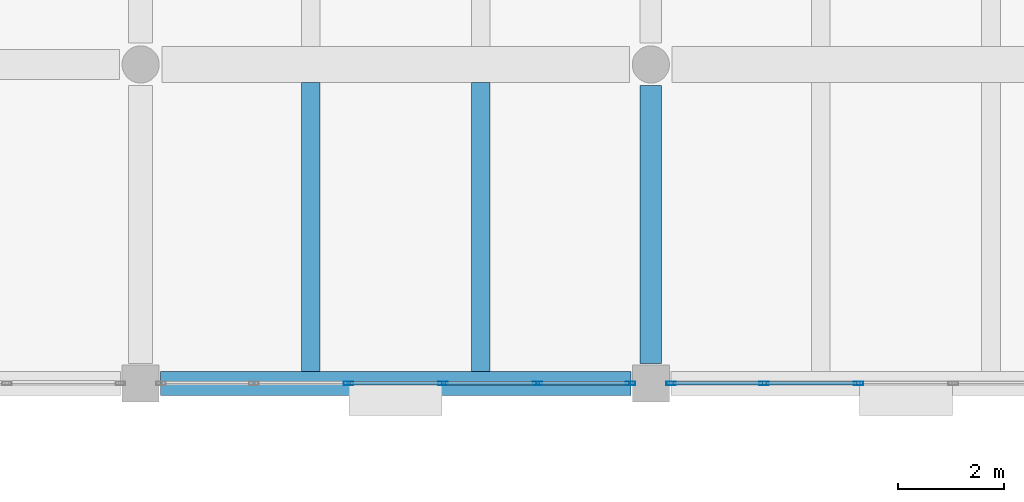
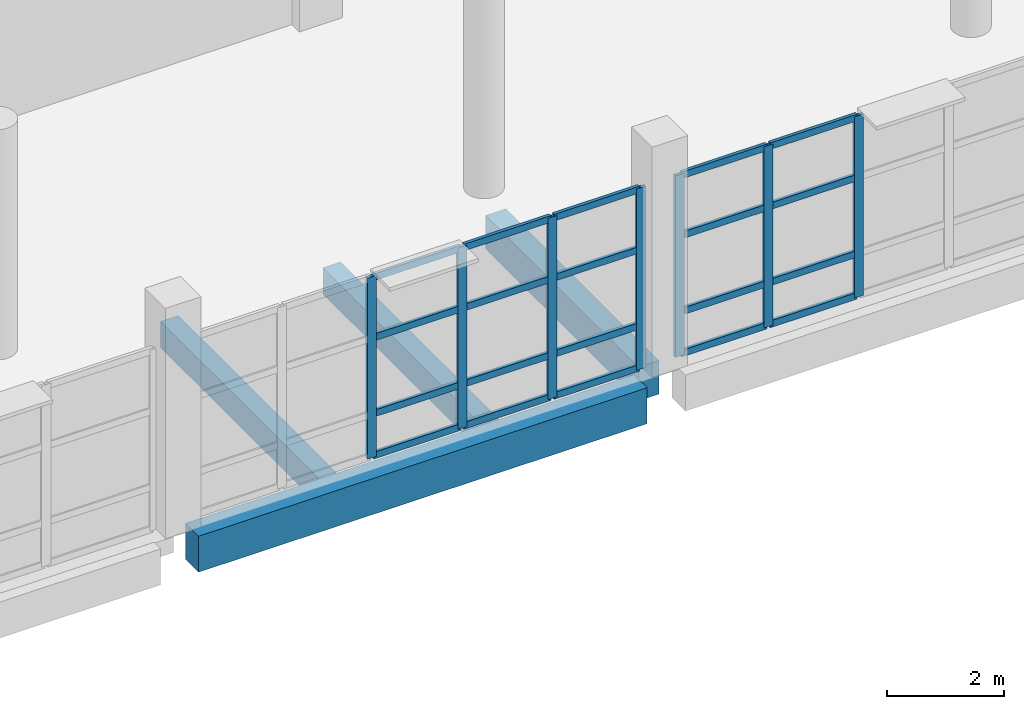
# One storey, part 40 of 91: 27 members, 4 beams, 2 elements without a shape of their own.
"""IFC4 building model written with IfcOpenShell, lengths in metres."""

from ifc_helpers import new_model, si_unit, direction, frame, origin, origin_2d, place, context, subcontext, project, spatial, rectangle, hollow_rectangle, extrude, material, material_profile, profile_set, type_object, element, aggregate, save


model = new_model("IFC4")

# Units and contexts
model_context = context("Model", 3, precision=1e-05, world=origin(), true_north=direction((0.0, 1.0)))
body_context = subcontext(model_context, "Body", "Model", "MODEL_VIEW")
ifc_project = project(units=[si_unit("LENGTHUNIT", "METRE"), si_unit("AREAUNIT", "SQUARE_METRE"), si_unit("VOLUMEUNIT", "CUBIC_METRE"), si_unit("PLANEANGLEUNIT", "RADIAN"), si_unit("MASSUNIT", "GRAM", prefix="KILO")], contexts=[model_context])

# Site, building, storey
site_placement = place(None, origin())
site = spatial("IfcSite", under=ifc_project, at=site_placement, CompositionType="ELEMENT")
building_placement = place(site_placement, origin())
building = spatial("IfcBuilding", under=site, at=building_placement, Name="Pellamere Symphony Hall", CompositionType="ELEMENT")
storey_placement = place(building_placement, frame((0.0, 0.0, 5.39990234375)))
storey = spatial("IfcBuildingStorey", under=building, at=storey_placement, Name="L01", CompositionType="ELEMENT", Elevation=5.39990234375)

# Curtain wall, members
ifc_material_1 = material(Name="Thermally Broken Anodised Aluminium 6063-T6 Curtain Wall", Category="aluminium")
curtain_wall_type = type_object("IfcCurtainWallType", Name="Curtain Wall CW-02 (Winter-Garden South Concourse Curtain Wall)", PredefinedType="NOTDEFINED", material=ifc_material_1)
curtain_wall_1_placement = place(storey_placement, origin())
curtain_wall_1 = element("IfcCurtainWall", 1, at=curtain_wall_1_placement, inside=storey, type_object=curtain_wall_type, Name="Winter-Garden South Curtain Wall (L01 Bay 10)", PredefinedType="NOTDEFINED")
ifc_material_2 = material(Name="Anodised Architectural Aluminium 6063-T6", Category="aluminium")
ifc_material_profile_1 = material_profile(ifc_material_2, hollow_rectangle(XDim=0.06494140625, YDim=0.179931640625, WallThickness=0.00390625, at=origin_2d()), Name="ALU-M65X180X4")
ifc_profile_set_1 = profile_set([ifc_material_profile_1], Name="Anodised Architectural Aluminium 6063-T6")
member_type_1 = type_object("IfcMemberType", Name="Curtain Wall Mullion ML-02 ALU-M65X180X4", PredefinedType="MULLION", material=ifc_profile_set_1)
member_1_placement = place(storey_placement, frame((113.110107421875, 18.0, 0.0), z_axis=(0.0, 0.0, 1.0), x_axis=(0.0, 1.0, 0.0)))
member_1 = element("IfcMember", 2, at=member_1_placement, type_object=member_type_1, Name="CW2-075 crystal mullion 3", PredefinedType="MULLION", context=body_context, shape_type="SweptSolid", body=[
    extrude(hollow_rectangle(XDim=0.06494140625, YDim=0.179931640625, WallThickness=0.00390625, at=origin_2d()), origin(), (0.0, 0.0, 1.0), 3.780029296875),
])
member_2_placement = place(storey_placement, frame((114.889892578125, 18.0, 0.0), z_axis=(0.0, 0.0, 1.0), x_axis=(0.0, 1.0, 0.0)))
member_2 = element("IfcMember", 3, at=member_2_placement, type_object=member_type_1, Name="CW2-075 crystal mullion 4", PredefinedType="MULLION", context=body_context, shape_type="SweptSolid", body=[
    extrude(hollow_rectangle(XDim=0.06494140625, YDim=0.179931640625, WallThickness=0.00390625, at=origin_2d()), origin(), (0.0, 0.0, 1.0), 3.780029296875),
])
member_3_placement = place(storey_placement, frame((116.669921875, 18.0, 0.0), z_axis=(0.0, 0.0, 1.0), x_axis=(0.0, 1.0, 0.0)))
member_3 = element("IfcMember", 4, at=member_3_placement, type_object=member_type_1, Name="CW2-075 crystal mullion 5", PredefinedType="MULLION", context=body_context, shape_type="SweptSolid", body=[
    extrude(hollow_rectangle(XDim=0.06494140625, YDim=0.179931640625, WallThickness=0.00390625, at=origin_2d()), origin(), (0.0, 0.0, 1.0), 3.780029296875),
])
member_4_placement = place(storey_placement, frame((118.41748046875, 18.0, 0.0), z_axis=(0.0, 0.0, 1.0), x_axis=(0.0, 1.0, 0.0)))
member_4 = element("IfcMember", 5, at=member_4_placement, type_object=member_type_1, Name="CW2-075 crystal mullion 6", PredefinedType="MULLION", context=body_context, shape_type="SweptSolid", body=[
    extrude(hollow_rectangle(XDim=0.06494140625, YDim=0.179931640625, WallThickness=0.00390625, at=origin_2d()), origin(), (0.0, 0.0, 1.0), 3.780029296875),
])

curtain_wall_2_placement = place(storey_placement, origin())
curtain_wall_2 = element("IfcCurtainWall", 6, at=curtain_wall_2_placement, inside=storey, type_object=curtain_wall_type, Name="Winter-Garden South Curtain Wall (L01 Bay 11)", PredefinedType="NOTDEFINED")
member_5_placement = place(storey_placement, frame((119.1826171875, 18.0, 0.0), z_axis=(0.0, 0.0, 1.0), x_axis=(0.0, 1.0, 0.0)))
member_5 = element("IfcMember", 7, at=member_5_placement, type_object=member_type_1, Name="CW2-076 crystal mullion 1", PredefinedType="MULLION", context=body_context, shape_type="SweptSolid", body=[
    extrude(hollow_rectangle(XDim=0.06494140625, YDim=0.179931640625, WallThickness=0.00390625, at=origin_2d()), origin(), (0.0, 0.0, 1.0), 3.780029296875),
])
member_6_placement = place(storey_placement, frame((120.929931640625, 18.0, 0.0), z_axis=(0.0, 0.0, 1.0), x_axis=(0.0, 1.0, 0.0)))
member_6 = element("IfcMember", 8, at=member_6_placement, type_object=member_type_1, Name="CW2-076 crystal mullion 2", PredefinedType="MULLION", context=body_context, shape_type="SweptSolid", body=[
    extrude(hollow_rectangle(XDim=0.06494140625, YDim=0.179931640625, WallThickness=0.00390625, at=origin_2d()), origin(), (0.0, 0.0, 1.0), 3.780029296875),
])
member_7_placement = place(storey_placement, frame((122.7099609375, 18.0, 0.0), z_axis=(0.0, 0.0, 1.0), x_axis=(0.0, 1.0, 0.0)))
member_7 = element("IfcMember", 9, at=member_7_placement, type_object=member_type_1, Name="CW2-076 crystal mullion 3", PredefinedType="MULLION", context=body_context, shape_type="SweptSolid", body=[
    extrude(hollow_rectangle(XDim=0.06494140625, YDim=0.179931640625, WallThickness=0.00390625, at=origin_2d()), origin(), (0.0, 0.0, 1.0), 3.780029296875),
])

# Member
ifc_material_profile_2 = material_profile(ifc_material_2, hollow_rectangle(XDim=0.06494140625, YDim=0.139892578125, WallThickness=0.00390625, at=origin_2d()), Name="ALU-T65X140X4")
ifc_profile_set_2 = profile_set([ifc_material_profile_2], Name="Anodised Architectural Aluminium 6063-T6")
member_type_2 = type_object("IfcMemberType", Name="Curtain Wall Transom TR-02 ALU-T65X140X4", PredefinedType="USERDEFINED", material=ifc_profile_set_2)
member_8_placement = place(storey_placement, frame((113.142578125, 18.0, 0.03271484375), z_axis=(1.0, 0.0, 0.0), x_axis=(0.0, 1.0, 0.0)))
member_8 = element("IfcMember", 10, at=member_8_placement, type_object=member_type_2, Name="CW2-075 crystal transom 3.1", ObjectType="TRANSOM", PredefinedType="USERDEFINED", context=body_context, shape_type="SweptSolid", body=[
    extrude(hollow_rectangle(XDim=0.06494140625, YDim=0.139892578125, WallThickness=0.00390625, at=origin_2d()), origin(), (0.0, 0.0, 1.0), 1.71484375),
])

member_9_placement = place(storey_placement, frame((113.142578125, 18.0, 0.9072265625), z_axis=(1.0, 0.0, 0.0), x_axis=(0.0, 1.0, 0.0)))
member_9 = element("IfcMember", 11, at=member_9_placement, type_object=member_type_2, Name="CW2-075 crystal transom 3.2", ObjectType="TRANSOM", PredefinedType="USERDEFINED", context=body_context, shape_type="SweptSolid", body=[
    extrude(hollow_rectangle(XDim=0.06494140625, YDim=0.139892578125, WallThickness=0.00390625, at=origin_2d()), origin(), (0.0, 0.0, 1.0), 1.71484375),
])

member_10_placement = place(storey_placement, frame((113.142578125, 18.0, 2.494873046875), z_axis=(1.0, 0.0, 0.0), x_axis=(0.0, 1.0, 0.0)))
member_10 = element("IfcMember", 12, at=member_10_placement, type_object=member_type_2, Name="CW2-075 crystal transom 3.3", ObjectType="TRANSOM", PredefinedType="USERDEFINED", context=body_context, shape_type="SweptSolid", body=[
    extrude(hollow_rectangle(XDim=0.06494140625, YDim=0.139892578125, WallThickness=0.00390625, at=origin_2d()), origin(), (0.0, 0.0, 1.0), 1.71484375),
])

member_11_placement = place(storey_placement, frame((113.142578125, 18.0, 3.74755859375), z_axis=(1.0, 0.0, 0.0), x_axis=(0.0, 1.0, 0.0)))
member_11 = element("IfcMember", 13, at=member_11_placement, type_object=member_type_2, Name="CW2-075 crystal transom 3.4", ObjectType="TRANSOM", PredefinedType="USERDEFINED", context=body_context, shape_type="SweptSolid", body=[
    extrude(hollow_rectangle(XDim=0.06494140625, YDim=0.139892578125, WallThickness=0.00390625, at=origin_2d()), origin(), (0.0, 0.0, 1.0), 1.71484375),
])

member_12_placement = place(storey_placement, frame((114.922607421875, 18.0, 0.03271484375), z_axis=(1.0, 0.0, 0.0), x_axis=(0.0, 1.0, 0.0)))
member_12 = element("IfcMember", 14, at=member_12_placement, type_object=member_type_2, Name="CW2-075 crystal transom 4.1", ObjectType="TRANSOM", PredefinedType="USERDEFINED", context=body_context, shape_type="SweptSolid", body=[
    extrude(hollow_rectangle(XDim=0.06494140625, YDim=0.139892578125, WallThickness=0.00390625, at=origin_2d()), origin(), (0.0, 0.0, 1.0), 1.71484375),
])

member_13_placement = place(storey_placement, frame((114.922607421875, 18.0, 0.9072265625), z_axis=(1.0, 0.0, 0.0), x_axis=(0.0, 1.0, 0.0)))
member_13 = element("IfcMember", 15, at=member_13_placement, type_object=member_type_2, Name="CW2-075 crystal transom 4.2", ObjectType="TRANSOM", PredefinedType="USERDEFINED", context=body_context, shape_type="SweptSolid", body=[
    extrude(hollow_rectangle(XDim=0.06494140625, YDim=0.139892578125, WallThickness=0.00390625, at=origin_2d()), origin(), (0.0, 0.0, 1.0), 1.71484375),
])

member_14_placement = place(storey_placement, frame((114.922607421875, 18.0, 2.494873046875), z_axis=(1.0, 0.0, 0.0), x_axis=(0.0, 1.0, 0.0)))
member_14 = element("IfcMember", 16, at=member_14_placement, type_object=member_type_2, Name="CW2-075 crystal transom 4.3", ObjectType="TRANSOM", PredefinedType="USERDEFINED", context=body_context, shape_type="SweptSolid", body=[
    extrude(hollow_rectangle(XDim=0.06494140625, YDim=0.139892578125, WallThickness=0.00390625, at=origin_2d()), origin(), (0.0, 0.0, 1.0), 1.71484375),
])

member_15_placement = place(storey_placement, frame((114.922607421875, 18.0, 3.74755859375), z_axis=(1.0, 0.0, 0.0), x_axis=(0.0, 1.0, 0.0)))
member_15 = element("IfcMember", 17, at=member_15_placement, type_object=member_type_2, Name="CW2-075 crystal transom 4.4", ObjectType="TRANSOM", PredefinedType="USERDEFINED", context=body_context, shape_type="SweptSolid", body=[
    extrude(hollow_rectangle(XDim=0.06494140625, YDim=0.139892578125, WallThickness=0.00390625, at=origin_2d()), origin(), (0.0, 0.0, 1.0), 1.71484375),
])

member_16_placement = place(storey_placement, frame((116.702392578125, 18.0, 0.03271484375), z_axis=(1.0, 0.0, 0.0), x_axis=(0.0, 1.0, 0.0)))
member_16 = element("IfcMember", 18, at=member_16_placement, type_object=member_type_2, Name="CW2-075 crystal transom 5.1", ObjectType="TRANSOM", PredefinedType="USERDEFINED", context=body_context, shape_type="SweptSolid", body=[
    extrude(hollow_rectangle(XDim=0.06494140625, YDim=0.139892578125, WallThickness=0.00390625, at=origin_2d()), origin(), (0.0, 0.0, 1.0), 1.6826171875),
])

member_17_placement = place(storey_placement, frame((116.702392578125, 18.0, 0.9072265625), z_axis=(1.0, 0.0, 0.0), x_axis=(0.0, 1.0, 0.0)))
member_17 = element("IfcMember", 19, at=member_17_placement, type_object=member_type_2, Name="CW2-075 crystal transom 5.2", ObjectType="TRANSOM", PredefinedType="USERDEFINED", context=body_context, shape_type="SweptSolid", body=[
    extrude(hollow_rectangle(XDim=0.06494140625, YDim=0.139892578125, WallThickness=0.00390625, at=origin_2d()), origin(), (0.0, 0.0, 1.0), 1.6826171875),
])

member_18_placement = place(storey_placement, frame((116.702392578125, 18.0, 2.494873046875), z_axis=(1.0, 0.0, 0.0), x_axis=(0.0, 1.0, 0.0)))
member_18 = element("IfcMember", 20, at=member_18_placement, type_object=member_type_2, Name="CW2-075 crystal transom 5.3", ObjectType="TRANSOM", PredefinedType="USERDEFINED", context=body_context, shape_type="SweptSolid", body=[
    extrude(hollow_rectangle(XDim=0.06494140625, YDim=0.139892578125, WallThickness=0.00390625, at=origin_2d()), origin(), (0.0, 0.0, 1.0), 1.6826171875),
])

member_19_placement = place(storey_placement, frame((116.702392578125, 18.0, 3.74755859375), z_axis=(1.0, 0.0, 0.0), x_axis=(0.0, 1.0, 0.0)))
member_19 = element("IfcMember", 21, at=member_19_placement, type_object=member_type_2, Name="CW2-075 crystal transom 5.4", ObjectType="TRANSOM", PredefinedType="USERDEFINED", context=body_context, shape_type="SweptSolid", body=[
    extrude(hollow_rectangle(XDim=0.06494140625, YDim=0.139892578125, WallThickness=0.00390625, at=origin_2d()), origin(), (0.0, 0.0, 1.0), 1.6826171875),
])

aggregate(curtain_wall_1, [member_1, member_2, member_3, member_4, member_8, member_9, member_10, member_11, member_12, member_13, member_14, member_15, member_16, member_17, member_18, member_19])

member_20_placement = place(storey_placement, frame((119.215087890625, 18.0, 0.03271484375), z_axis=(1.0, 0.0, 0.0), x_axis=(0.0, 1.0, 0.0)))
member_20 = element("IfcMember", 22, at=member_20_placement, type_object=member_type_2, Name="CW2-076 crystal transom 1.1", ObjectType="TRANSOM", PredefinedType="USERDEFINED", context=body_context, shape_type="SweptSolid", body=[
    extrude(hollow_rectangle(XDim=0.06494140625, YDim=0.139892578125, WallThickness=0.00390625, at=origin_2d()), origin(), (0.0, 0.0, 1.0), 1.682373046875),
])

member_21_placement = place(storey_placement, frame((119.215087890625, 18.0, 0.9072265625), z_axis=(1.0, 0.0, 0.0), x_axis=(0.0, 1.0, 0.0)))
member_21 = element("IfcMember", 23, at=member_21_placement, type_object=member_type_2, Name="CW2-076 crystal transom 1.2", ObjectType="TRANSOM", PredefinedType="USERDEFINED", context=body_context, shape_type="SweptSolid", body=[
    extrude(hollow_rectangle(XDim=0.06494140625, YDim=0.139892578125, WallThickness=0.00390625, at=origin_2d()), origin(), (0.0, 0.0, 1.0), 1.682373046875),
])

member_22_placement = place(storey_placement, frame((119.215087890625, 18.0, 2.494873046875), z_axis=(1.0, 0.0, 0.0), x_axis=(0.0, 1.0, 0.0)))
member_22 = element("IfcMember", 24, at=member_22_placement, type_object=member_type_2, Name="CW2-076 crystal transom 1.3", ObjectType="TRANSOM", PredefinedType="USERDEFINED", context=body_context, shape_type="SweptSolid", body=[
    extrude(hollow_rectangle(XDim=0.06494140625, YDim=0.139892578125, WallThickness=0.00390625, at=origin_2d()), origin(), (0.0, 0.0, 1.0), 1.682373046875),
])

member_23_placement = place(storey_placement, frame((119.215087890625, 18.0, 3.74755859375), z_axis=(1.0, 0.0, 0.0), x_axis=(0.0, 1.0, 0.0)))
member_23 = element("IfcMember", 25, at=member_23_placement, type_object=member_type_2, Name="CW2-076 crystal transom 1.4", ObjectType="TRANSOM", PredefinedType="USERDEFINED", context=body_context, shape_type="SweptSolid", body=[
    extrude(hollow_rectangle(XDim=0.06494140625, YDim=0.139892578125, WallThickness=0.00390625, at=origin_2d()), origin(), (0.0, 0.0, 1.0), 1.682373046875),
])

member_24_placement = place(storey_placement, frame((120.96240234375, 18.0, 0.03271484375), z_axis=(1.0, 0.0, 0.0), x_axis=(0.0, 1.0, 0.0)))
member_24 = element("IfcMember", 26, at=member_24_placement, type_object=member_type_2, Name="CW2-076 crystal transom 2.1", ObjectType="TRANSOM", PredefinedType="USERDEFINED", context=body_context, shape_type="SweptSolid", body=[
    extrude(hollow_rectangle(XDim=0.06494140625, YDim=0.139892578125, WallThickness=0.00390625, at=origin_2d()), origin(), (0.0, 0.0, 1.0), 1.715087890625),
])

member_25_placement = place(storey_placement, frame((120.96240234375, 18.0, 0.9072265625), z_axis=(1.0, 0.0, 0.0), x_axis=(0.0, 1.0, 0.0)))
member_25 = element("IfcMember", 27, at=member_25_placement, type_object=member_type_2, Name="CW2-076 crystal transom 2.2", ObjectType="TRANSOM", PredefinedType="USERDEFINED", context=body_context, shape_type="SweptSolid", body=[
    extrude(hollow_rectangle(XDim=0.06494140625, YDim=0.139892578125, WallThickness=0.00390625, at=origin_2d()), origin(), (0.0, 0.0, 1.0), 1.715087890625),
])

member_26_placement = place(storey_placement, frame((120.96240234375, 18.0, 2.494873046875), z_axis=(1.0, 0.0, 0.0), x_axis=(0.0, 1.0, 0.0)))
member_26 = element("IfcMember", 28, at=member_26_placement, type_object=member_type_2, Name="CW2-076 crystal transom 2.3", ObjectType="TRANSOM", PredefinedType="USERDEFINED", context=body_context, shape_type="SweptSolid", body=[
    extrude(hollow_rectangle(XDim=0.06494140625, YDim=0.139892578125, WallThickness=0.00390625, at=origin_2d()), origin(), (0.0, 0.0, 1.0), 1.715087890625),
])

member_27_placement = place(storey_placement, frame((120.96240234375, 18.0, 3.74755859375), z_axis=(1.0, 0.0, 0.0), x_axis=(0.0, 1.0, 0.0)))
member_27 = element("IfcMember", 29, at=member_27_placement, type_object=member_type_2, Name="CW2-076 crystal transom 2.4", ObjectType="TRANSOM", PredefinedType="USERDEFINED", context=body_context, shape_type="SweptSolid", body=[
    extrude(hollow_rectangle(XDim=0.06494140625, YDim=0.139892578125, WallThickness=0.00390625, at=origin_2d()), origin(), (0.0, 0.0, 1.0), 1.715087890625),
])

aggregate(curtain_wall_2, [member_5, member_6, member_7, member_20, member_21, member_22, member_23, member_24, member_25, member_26, member_27])

# Beams
ifc_material_3 = material(Name="Concrete 35 MPa", Category="concrete")
ifc_material_profile_3 = material_profile(ifc_material_3, rectangle(XDim=0.35009765625, YDim=0.550048828125, at=origin_2d()), Name="RC 350x550")
ifc_profile_set_3 = profile_set([ifc_material_profile_3], Name="Concrete 35 MPa")
beam_type_1 = type_object("IfcBeamType", Name="RC CB-10 350x550", PredefinedType="BEAM", material=ifc_profile_set_3)
for number, where, z_axis, x_axis, name in (
    (30, (112.39990234375, 18.22509765625, -0.56982421875), (0.0, 1.0, 0.0), (-1.0, 0.0, 0.0), "Secondary Floor Beam CB-10-A1402 (L01)"),
    (31, (115.60009765625, 18.22509765625, -0.56982421875), (0.0, 1.0, 0.0), (-1.0, 0.0, 0.0), "Secondary Floor Beam CB-10-B1402 (L01)"),
):
    element("IfcBeam", number, at=place(storey_placement, frame(where, z_axis=z_axis, x_axis=x_axis)), inside=storey, type_object=beam_type_1, Name=name, PredefinedType="BEAM", context=body_context, shape_type="SweptSolid", body=[
        extrude(rectangle(XDim=0.35009765625, YDim=0.550048828125, at=origin_2d()), origin(), (0.0, 0.0, 1.0), 5.434814453125),
    ])
ifc_material_4 = material(Name="Concrete 40 MPa", Category="concrete")
ifc_material_profile_4 = material_profile(ifc_material_4, rectangle(XDim=0.449951171875, YDim=0.75, at=origin_2d()), Name="RC 450x750")
ifc_profile_set_4 = profile_set([ifc_material_profile_4], Name="Concrete 40 MPa")
beam_type_2 = type_object("IfcBeamType", Name="RC CB-12 450x750", PredefinedType="SPANDREL", material=ifc_profile_set_4)
beam_1_placement = place(storey_placement, frame((109.574951171875, 18.0, -0.65478515625), z_axis=(1.0, 0.0, 0.0), x_axis=(0.0, 1.0, 0.0)))
element("IfcBeam", 32, at=beam_1_placement, inside=storey, type_object=beam_type_2, Name="Girder CB-12-X0556 (L01)", PredefinedType="SPANDREL", context=body_context, shape_type="SweptSolid", body=[
    extrude(rectangle(XDim=0.449951171875, YDim=0.75, at=origin_2d()), origin(), (0.0, 0.0, 1.0), 8.85009765625),
])
ifc_material_profile_5 = material_profile(ifc_material_4, rectangle(XDim=0.39990234375, YDim=0.699951171875, at=origin_2d()), Name="RC 400x700")
ifc_profile_set_5 = profile_set([ifc_material_profile_5], Name="Concrete 40 MPa")
beam_type_3 = type_object("IfcBeamType", Name="RC CB-13 400x700", PredefinedType="SPANDREL", material=ifc_profile_set_5)
beam_2_placement = place(storey_placement, frame((118.800048828125, 18.375, -0.6298828125), z_axis=(0.0, 1.0, 0.0), x_axis=(-1.0, 0.0, 0.0)))
element("IfcBeam", 33, at=beam_2_placement, inside=storey, type_object=beam_type_3, Name="Girder CB-13-Y0823 (L01)", PredefinedType="SPANDREL", context=body_context, shape_type="SweptSolid", body=[
    extrude(rectangle(XDim=0.39990234375, YDim=0.699951171875, at=origin_2d()), origin(), (0.0, 0.0, 1.0), 5.22509765625),
])

save(model, "model.ifc")
